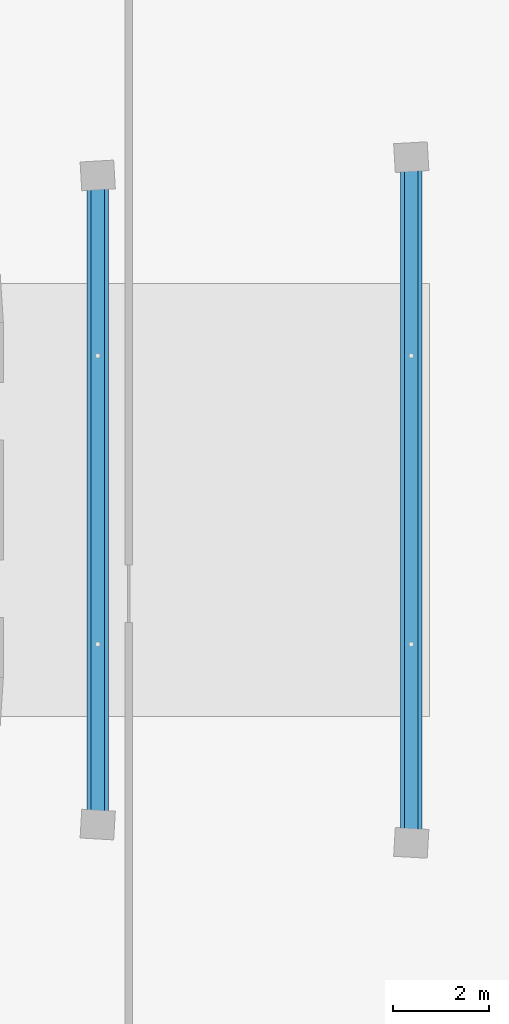
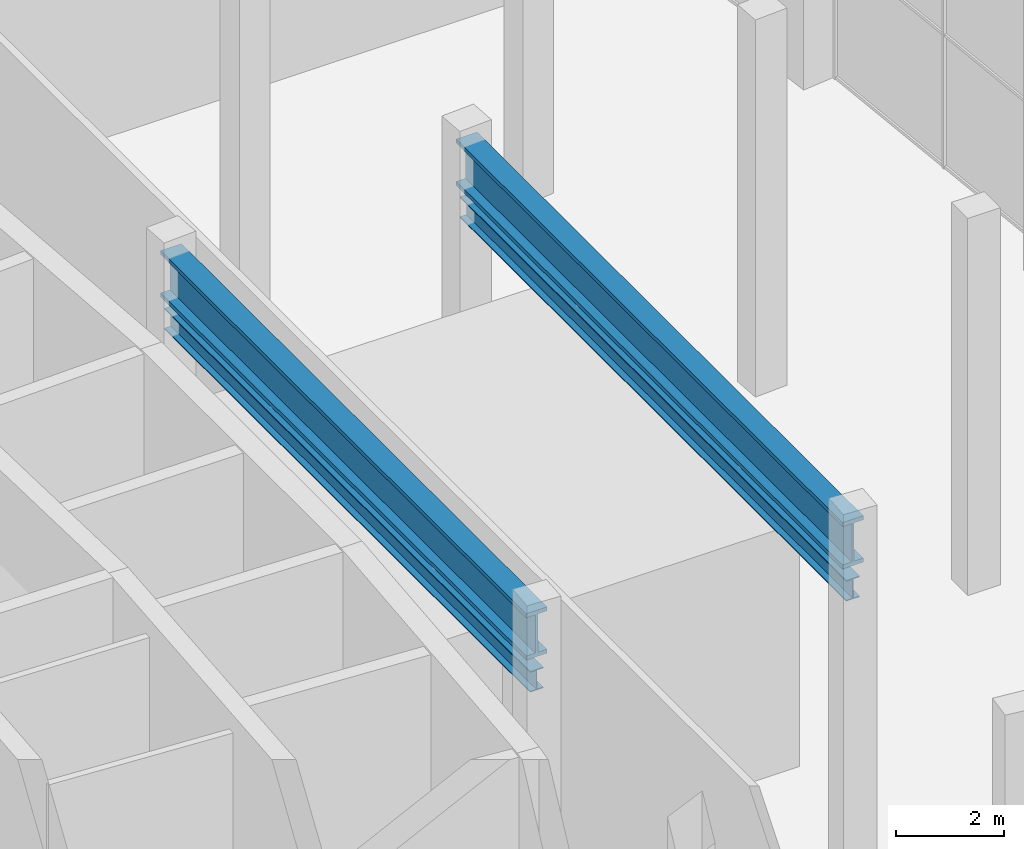
# One storey, part 10 of 25: 4 beams.
"""IFC4 building model written with IfcOpenShell, lengths in metres."""

import ifcopenshell
import ifcopenshell.guid

model = None  # the IFC model being written
_history = None  # IfcOwnerHistory: only IFC2X3 demands one
_inside = {}  # id of a spatial element -> (the spatial element, [elements in it])
_under = {}  # id of a project, library or spatial element -> (it, [spatial elements below it])
_declared = {}  # id of a project -> (the project, [libraries it declares])
_typed = {}  # id of a type object -> (the type object, [elements of that type])
_made_of = {}  # id of a material, layer set ... -> (it, [elements and type objects made of it])


def new_model(schema):
    """Start an empty IFC model of exactly this schema.

    Asked for "IFC4X3", IfcOpenShell would pick the latest addendum, in which some entities
    have other attributes; the version numbers below select the first issue.
    IFC2X3 requires an IfcOwnerHistory on every rooted entity: one is made here for all.
    """
    global model, _history
    if schema == "IFC4X3":
        model = ifcopenshell.file(schema_version=(4, 3, 0, 0))
    else:
        model = ifcopenshell.file(schema=schema)
    _inside.clear()
    _under.clear()
    _declared.clear()
    _typed.clear()
    _made_of.clear()
    _history = None
    if model.schema == "IFC2X3":
        org = make("IfcOrganization", Name="unknown")
        user = make(
            "IfcPersonAndOrganization",
            ThePerson=make("IfcPerson", FamilyName="unknown"),
            TheOrganization=org,
        )
        app = make(
            "IfcApplication",
            ApplicationDeveloper=org,
            Version="unknown",
            ApplicationFullName="unknown",
            ApplicationIdentifier="unknown",
        )
        _history = make(
            "IfcOwnerHistory",
            OwningUser=user,
            OwningApplication=app,
            ChangeAction="ADDED",
            CreationDate=0,
        )
    return model


def make(cls, **values):
    """One entity of the class cls with the attributes given. An attribute that is None is left unset."""
    return model.create_entity(
        cls, **{name: value for name, value in values.items() if value is not None}
    )


def rooted(cls, **values):
    """An entity with a GlobalId (a new one), such as an element, a storey or a relation."""
    return make(cls, GlobalId=ifcopenshell.guid.new(), OwnerHistory=_history, **values)


def si_unit(unit_type, name, prefix=None):
    """IfcSIUnit, for example si_unit("LENGTHUNIT", "METRE", prefix="MILLI")."""
    return make("IfcSIUnit", UnitType=unit_type, Prefix=prefix, Name=name)


def assignment(units):
    """IfcUnitAssignment: the units of a project."""
    return None if units is None else make("IfcUnitAssignment", Units=units)


def point(xyz):
    """IfcCartesianPoint."""
    return None if xyz is None else make("IfcCartesianPoint", Coordinates=xyz)


def direction(xyz):
    """IfcDirection."""
    return None if xyz is None else make("IfcDirection", DirectionRatios=xyz)


def frame(location, z_axis=None, x_axis=None):
    """IfcAxis2Placement3D, a coordinate frame: its origin and axes. An axis left out is left unset."""
    return make(
        "IfcAxis2Placement3D",
        Location=point(location),
        Axis=direction(z_axis),
        RefDirection=direction(x_axis),
    )


def frame_2d(location, x_axis=None):
    """IfcAxis2Placement2D, a coordinate frame in the plane: its origin and x axis."""
    return make(
        "IfcAxis2Placement2D", Location=point(location), RefDirection=direction(x_axis)
    )


def origin():
    """The frame at (0, 0, 0) with its axes left unset."""
    return frame((0.0, 0.0, 0.0))


def origin_2d():
    """The frame at (0, 0) in the plane with its x axis left unset."""
    return frame_2d((0.0, 0.0))


def place(relative_to, where):
    """IfcLocalPlacement: puts the frame where relative to a parent placement (None: the world)."""
    return make(
        "IfcLocalPlacement", PlacementRelTo=relative_to, RelativePlacement=where
    )


def context(
    kind, dimensions, precision=None, world=None, true_north=None, identifier=None
):
    """IfcGeometricRepresentationContext, for example the 3D "Model" context."""
    return make(
        "IfcGeometricRepresentationContext",
        ContextIdentifier=identifier,
        ContextType=kind,
        CoordinateSpaceDimension=dimensions,
        Precision=precision,
        WorldCoordinateSystem=world,
        TrueNorth=true_north,
    )


def subcontext(parent, identifier, kind, view, scale=None):
    """IfcGeometricRepresentationSubContext, for example "Body" below "Model"."""
    return make(
        "IfcGeometricRepresentationSubContext",
        ContextIdentifier=identifier,
        ContextType=kind,
        ParentContext=parent,
        TargetScale=scale,
        TargetView=view,
    )


def project(units=None, contexts=None):
    """IfcProject with its units and contexts."""
    return rooted(
        "IfcProject",
        Name="project",
        RepresentationContexts=contexts,
        UnitsInContext=assignment(units),
    )


def spatial(cls, under=None, at=None, **own):
    """A site, building, storey or space (cls), placed at a placement, below another one or the project."""
    s = rooted(cls, ObjectPlacement=at, **own)
    if under is not None:
        _under.setdefault(under.id(), (under, []))[1].append(s)
    return s


def profile(cls, at=None, kind="AREA", **sizes):
    """A parametric profile (cls). Its sizes go by their IFC names, for example OverallWidth=200.0."""
    return make(cls, ProfileType=kind, Position=at, **sizes)


def i_section(**sizes):
    """IfcIShapeProfileDef."""
    return profile("IfcIShapeProfileDef", **sizes)


def extrude(swept, where, along, depth):
    """IfcExtrudedAreaSolid: the profile swept, set in the frame where, extruded along a direction by depth."""
    return make(
        "IfcExtrudedAreaSolid",
        SweptArea=swept,
        Position=where,
        ExtrudedDirection=direction(along),
        Depth=depth,
    )


def shape(context_of_items, identifier, shape_type, items):
    """IfcShapeRepresentation: the items that make up one representation, for example the "Body"."""
    return make(
        "IfcShapeRepresentation",
        ContextOfItems=context_of_items,
        RepresentationIdentifier=identifier,
        RepresentationType=shape_type,
        Items=items,
    )


def material(Name=None, Category=None):
    """IfcMaterial."""
    return make("IfcMaterial", Name=Name, Category=Category)


def material_profile(
    of_material, cross_section, Name=None, Category=None, Priority=None
):
    """IfcMaterialProfile: a cross section and its material."""
    return make(
        "IfcMaterialProfile",
        Name=Name,
        Material=of_material,
        Profile=cross_section,
        Priority=Priority,
        Category=Category,
    )


def profile_set(profiles, Name=None, composite=None):
    """IfcMaterialProfileSet."""
    return make(
        "IfcMaterialProfileSet",
        Name=Name,
        MaterialProfiles=profiles,
        CompositeProfile=composite,
    )


def made_of(thing, what):
    """Note that an element or type object is made of a material, layer set ...; save() writes the relation."""
    if what is not None:
        _made_of.setdefault(what.id(), (what, []))[1].append(thing)
    return thing


def type_object(cls, material=None, **own):
    """A type object (cls), such as IfcWallType, which elements share."""
    return made_of(rooted(cls, **own), material)


def element(
    cls,
    number,
    at=None,
    inside=None,
    cuts=None,
    type_object=None,
    material=None,
    context=None,
    identifier="Body",
    shape_type=None,
    held_by="IfcProductDefinitionShape",
    body=None,
    shapes=None,
    **own,
):
    """One element of the class cls, such as IfcWall. Its Tag is "e" and its number.

    at: its placement. inside: the storey or other place that contains it. cuts: it is an
    opening in that element (IfcRelVoidsElement). A single representation is given by context,
    identifier, shape_type and body (its items); several are given by shapes. held_by: the class
    of the entity that holds the representations. save() writes the other relations.
    """
    e = rooted(cls, Tag="e%d" % number, ObjectPlacement=at, **own)
    if body is not None:
        shapes = [shape(context, identifier, shape_type, body)]
    if shapes is not None:
        e.Representation = make(held_by, Representations=shapes)
    if inside is not None:
        _inside.setdefault(inside.id(), (inside, []))[1].append(e)
    if cuts is not None:
        rooted(
            "IfcRelVoidsElement", RelatingBuildingElement=cuts, RelatedOpeningElement=e
        )
    if type_object is not None:
        _typed.setdefault(type_object.id(), (type_object, []))[1].append(e)
    return made_of(e, material)


def aggregate(whole, parts):
    """IfcRelAggregates: a whole, such as a stair, and the parts it consists of."""
    return rooted("IfcRelAggregates", RelatingObject=whole, RelatedObjects=parts)


def save(model, path):
    """Write the relations noted so far, then the file.

    IfcRelAggregates (storeys below a building ...), IfcRelContainedInSpatialStructure (elements
    in a storey), IfcRelDefinesByType, IfcRelAssociatesMaterial and IfcRelDeclares: one each for
    every whole, place, type object, material and project.
    """
    for whole, parts in _under.values():
        aggregate(whole, parts)
    for where, things in _inside.values():
        rooted(
            "IfcRelContainedInSpatialStructure",
            RelatedElements=things,
            RelatingStructure=where,
        )
    for kind, things in _typed.values():
        rooted("IfcRelDefinesByType", RelatedObjects=things, RelatingType=kind)
    for what, things in _made_of.values():
        rooted("IfcRelAssociatesMaterial", RelatedObjects=things, RelatingMaterial=what)
    for by, libraries in _declared.values():
        rooted("IfcRelDeclares", RelatingContext=by, RelatedDefinitions=libraries)
    model.write(path)


model = new_model("IFC4")

# Units and contexts
model_context = context("Model", 3, precision=1e-05, world=origin(), true_north=direction((0.0, 1.0)))
body_context = subcontext(model_context, "Body", "Model", "MODEL_VIEW")
ifc_project = project(units=[si_unit("LENGTHUNIT", "METRE"), si_unit("AREAUNIT", "SQUARE_METRE"), si_unit("VOLUMEUNIT", "CUBIC_METRE"), si_unit("PLANEANGLEUNIT", "RADIAN"), si_unit("MASSUNIT", "GRAM", prefix="KILO")], contexts=[model_context])

# Site, building, storey
site_placement = place(None, origin())
site = spatial("IfcSite", under=ifc_project, at=site_placement, CompositionType="ELEMENT")
building_placement = place(site_placement, origin())
building = spatial("IfcBuilding", under=site, at=building_placement, Name="Alderwake Tower", CompositionType="ELEMENT")
storey_placement = place(building_placement, frame((0.0, 0.0, 296.0)))
storey = spatial("IfcBuildingStorey", under=building, at=storey_placement, Name="L73", CompositionType="ELEMENT", Elevation=296.0)

# Beams
ifc_material_1 = material(Name="Steel ASTM A992 Grade 50", Category="steel")
ifc_material_profile_1 = material_profile(ifc_material_1, i_section(OverallWidth=0.4462890625, OverallDepth=1.042724609375, WebThickness=0.050048828125, FlangeThickness=0.08984375, at=origin_2d()), Name="W36X652")
ifc_profile_set_1 = profile_set([ifc_material_profile_1], Name="Steel ASTM A992 Grade 50")
beam_type_1 = type_object("IfcBeamType", Name="Damper girder W36X652", PredefinedType="BEAM", material=ifc_profile_set_1)
beam_1_placement = place(storey_placement, frame((35.60302734375, 54.248779296875, 7.57861328125), z_axis=(0.0, 1.0, 0.0), x_axis=(-1.0, 0.0, 0.0)))
element("IfcBeam", 1, at=beam_1_placement, inside=storey, type_object=beam_type_1, Name="Damper girder DG.C2", PredefinedType="BEAM", context=body_context, shape_type="SweptSolid", body=[
    extrude(i_section(OverallWidth=0.4462890625, OverallDepth=1.042724609375, WebThickness=0.050048828125, FlangeThickness=0.08984375, at=origin_2d()), origin(), (0.0, 0.0, 1.0), 13.50244140625),
])
beam_2_placement = place(storey_placement, frame((42.125244140625, 53.867919921875, 7.57861328125), z_axis=(0.0, 1.0, 0.0), x_axis=(-1.0, 0.0, 0.0)))
element("IfcBeam", 2, at=beam_2_placement, inside=storey, type_object=beam_type_1, Name="Damper girder DG.C3", PredefinedType="BEAM", context=body_context, shape_type="SweptSolid", body=[
    extrude(i_section(OverallWidth=0.4462890625, OverallDepth=1.042724609375, WebThickness=0.050048828125, FlangeThickness=0.08984375, at=origin_2d()), origin(), (0.0, 0.0, 1.0), 14.26416015625),
])
ifc_material_2 = material(Name="Steel ASTM A992 Grade 50", Category="steel")
ifc_material_profile_2 = material_profile(ifc_material_2, i_section(OverallWidth=0.283203125, OverallDepth=0.47216796875, WebThickness=0.013671875, FlangeThickness=0.022216796875, at=origin_2d()), Name="W18X97")
ifc_profile_set_2 = profile_set([ifc_material_profile_2], Name="Steel ASTM A992 Grade 50")
beam_type_2 = type_object("IfcBeamType", Name="Damper spreader beam W18X97", PredefinedType="BEAM", material=ifc_profile_set_2)
beam_3_placement = place(storey_placement, frame((35.60302734375, 54.248779296875, 6.5361328125), z_axis=(0.0, 1.0, 0.0), x_axis=(-1.0, 0.0, 0.0)))
element("IfcBeam", 3, at=beam_3_placement, inside=storey, type_object=beam_type_2, Name="Damper spreader beam DS.C2", PredefinedType="BEAM", context=body_context, shape_type="SweptSolid", body=[
    extrude(i_section(OverallWidth=0.283203125, OverallDepth=0.47216796875, WebThickness=0.013671875, FlangeThickness=0.022216796875, at=origin_2d()), origin(), (0.0, 0.0, 1.0), 13.50244140625),
])
beam_4_placement = place(storey_placement, frame((42.125244140625, 53.867919921875, 6.5361328125), z_axis=(0.0, 1.0, 0.0), x_axis=(-1.0, 0.0, 0.0)))
element("IfcBeam", 4, at=beam_4_placement, inside=storey, type_object=beam_type_2, Name="Damper spreader beam DS.C3", PredefinedType="BEAM", context=body_context, shape_type="SweptSolid", body=[
    extrude(i_section(OverallWidth=0.283203125, OverallDepth=0.47216796875, WebThickness=0.013671875, FlangeThickness=0.022216796875, at=origin_2d()), origin(), (0.0, 0.0, 1.0), 14.26416015625),
])

save(model, "model.ifc")
